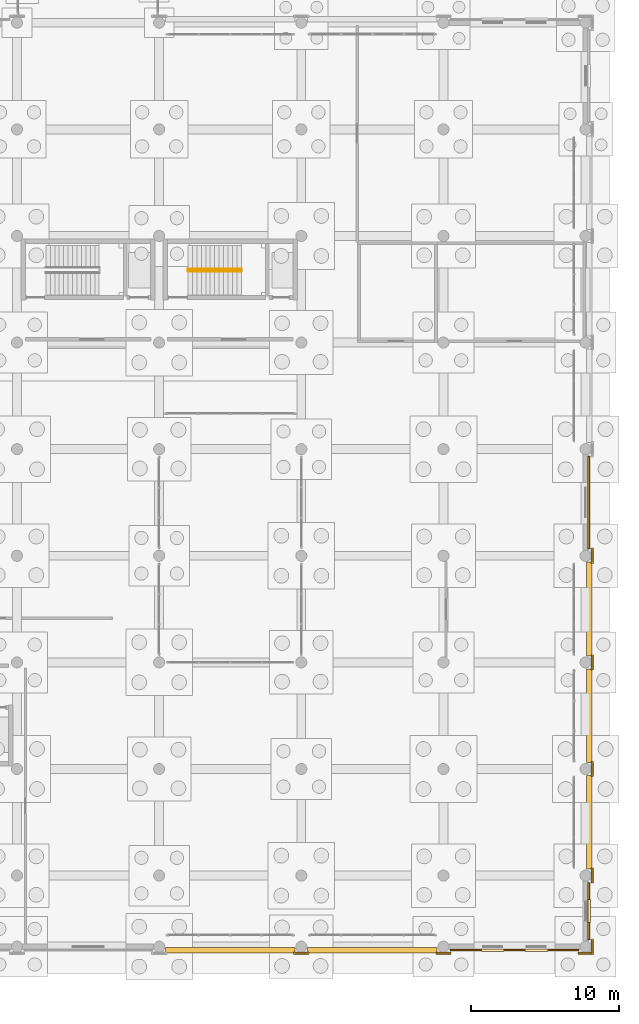
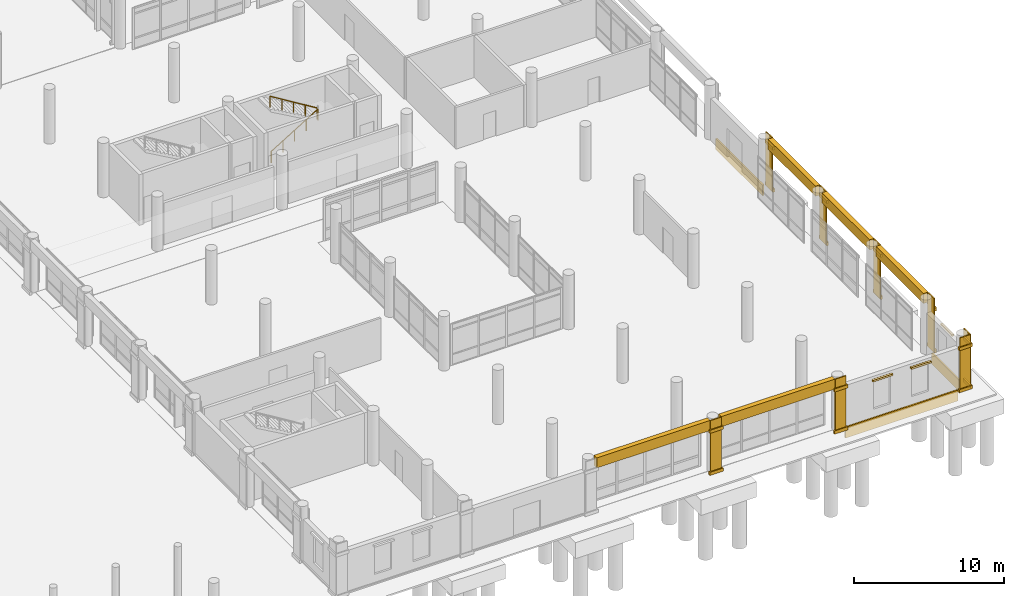
# One storey, part 191 of 196: 35 coverings, 2 railings.
"""IFC4 building model written with IfcOpenShell, lengths in metres."""

from ifc_helpers import new_model, si_unit, direction, frame, origin, origin_2d, place, context, subcontext, project, spatial, rectangle, circle, extrude, material, layer, layer_set, type_object, element, save


model = new_model("IFC4")

# Units and contexts
model_context = context("Model", 3, precision=1e-05, world=origin(), true_north=direction((0.0, 1.0)))
body_context = subcontext(model_context, "Body", "Model", "MODEL_VIEW")
ifc_project = project(units=[si_unit("LENGTHUNIT", "METRE"), si_unit("AREAUNIT", "SQUARE_METRE"), si_unit("VOLUMEUNIT", "CUBIC_METRE"), si_unit("PLANEANGLEUNIT", "RADIAN"), si_unit("MASSUNIT", "GRAM", prefix="KILO")], contexts=[model_context])

# Site, building, storey
site_placement = place(None, origin())
site = spatial("IfcSite", under=ifc_project, at=site_placement, CompositionType="ELEMENT")
building_placement = place(site_placement, origin())
building = spatial("IfcBuilding", under=site, at=building_placement, Name="Asteropetra Specialist Clinic", CompositionType="ELEMENT")
storey_placement = place(building_placement, origin())
storey = spatial("IfcBuildingStorey", under=building, at=storey_placement, Name="L00", CompositionType="ELEMENT", Elevation=0.0)

# Coverings
ifc_material_1 = material(Name="Pentelic marble ashlar", Category="masonry")
ifc_layer = layer(ifc_material_1, 0.159912109375)
ifc_layer_set = layer_set([ifc_layer], Name="Pentelic marble ashlar")
covering_type = type_object("IfcCoveringType", Name="CRN-ENTAB-600", PredefinedType="MOLDING", material=ifc_layer_set)
for number, where, z_axis, x_axis, name in (
    (1, (129.60009765625, -0.239990234375, 3.58984375), (0.0, 0.0, 1.0), (1.0, 0.0, 0.0), "Stoa Classical Entablature SE-0072"),
    (2, (139.199951171875, -0.239990234375, 3.58984375), (0.0, 0.0, 1.0), (1.0, 0.0, 0.0), "Stoa Classical Entablature SE-0074"),
):
    element("IfcCovering", number, at=place(storey_placement, frame(where, z_axis=z_axis, x_axis=x_axis)), inside=storey, type_object=covering_type, Name=name, PredefinedType="MOLDING", context=body_context, shape_type="SweptSolid", body=[
        extrude(rectangle(XDim=8.72998046875, YDim=0.360107421875, at=origin_2d()), origin(), (0.0, 0.0, 1.0), 0.820068359375),
    ])
for number, where, z_axis, x_axis, name in (
    (3, (153.840087890625, 8.39990234375, 3.58984375), (0.0, 0.0, 1.0), (1.0, 0.0, 0.0), "Stoa Classical Entablature SE-0077"),
    (4, (153.840087890625, 15.60009765625, 3.58984375), (0.0, 0.0, 1.0), (1.0, 0.0, 0.0), "Stoa Classical Entablature SE-0078"),
    (5, (153.840087890625, 22.800048828125, 3.58984375), (0.0, 0.0, 1.0), (1.0, 0.0, 0.0), "Stoa Classical Entablature SE-0080"),
):
    element("IfcCovering", number, at=place(storey_placement, frame(where, z_axis=z_axis, x_axis=x_axis)), inside=storey, type_object=covering_type, Name=name, PredefinedType="MOLDING", context=body_context, shape_type="SweptSolid", body=[
        extrude(rectangle(XDim=0.360107421875, YDim=6.330078125, at=origin_2d()), origin(), (0.0, 0.0, 1.0), 0.820068359375),
    ])
covering_1_placement = place(storey_placement, frame((134.39990234375, -0.406982421875, 0.02001953125), z_axis=(0.0, 0.0, 1.0), x_axis=(1.0, 0.0, 0.0)))
element("IfcCovering", 6, at=covering_1_placement, inside=storey, type_object=covering_type, Name="Neoclassical Pilaster Facing CM-0965", PredefinedType="MOLDING", context=body_context, shape_type="SweptSolid", body=[
    extrude(rectangle(XDim=0.830078125, YDim=0.080078125, at=origin_2d()), origin(), (0.0, 0.0, 1.0), 4.3798828125),
])
for number, where, z_axis, x_axis, name in (
    (7, (134.39990234375, -0.447021484375, 0.009765625), (0.0, 0.0, 1.0), (1.0, 0.0, 0.0), "Doric Base CC-0966"),
    (8, (134.39990234375, -0.447021484375, 3.43017578125), (0.0, 0.0, 1.0), (1.0, 0.0, 0.0), "Doric Capital CC-0967"),
):
    element("IfcCovering", number, at=place(storey_placement, frame(where, z_axis=z_axis, x_axis=x_axis)), inside=storey, type_object=covering_type, Name=name, PredefinedType="MOLDING", context=body_context, shape_type="SweptSolid", body=[
        extrude(rectangle(XDim=1.030029296875, YDim=0.159912109375, at=origin_2d()), origin(), (0.0, 0.0, 1.0), 0.260009765625),
    ])
covering_2_placement = place(storey_placement, frame((144.0, -0.406982421875, 0.02001953125), z_axis=(0.0, 0.0, 1.0), x_axis=(1.0, 0.0, 0.0)))
element("IfcCovering", 9, at=covering_2_placement, inside=storey, type_object=covering_type, Name="Neoclassical Pilaster Facing CM-0971", PredefinedType="MOLDING", context=body_context, shape_type="SweptSolid", body=[
    extrude(rectangle(XDim=0.830078125, YDim=0.080078125, at=origin_2d()), origin(), (0.0, 0.0, 1.0), 4.3798828125),
])
for number, where, z_axis, x_axis, name in (
    (10, (144.0, -0.447021484375, 0.009765625), (0.0, 0.0, 1.0), (1.0, 0.0, 0.0), "Doric Base CC-0972"),
    (11, (144.0, -0.447021484375, 3.43017578125), (0.0, 0.0, 1.0), (1.0, 0.0, 0.0), "Doric Capital CC-0973"),
):
    element("IfcCovering", number, at=place(storey_placement, frame(where, z_axis=z_axis, x_axis=x_axis)), inside=storey, type_object=covering_type, Name=name, PredefinedType="MOLDING", context=body_context, shape_type="SweptSolid", body=[
        extrude(rectangle(XDim=1.030029296875, YDim=0.159912109375, at=origin_2d()), origin(), (0.0, 0.0, 1.0), 0.260009765625),
    ])
covering_3_placement = place(storey_placement, frame((153.60009765625, -0.406982421875, 0.02001953125), z_axis=(0.0, 0.0, 1.0), x_axis=(1.0, 0.0, 0.0)))
element("IfcCovering", 12, at=covering_3_placement, inside=storey, type_object=covering_type, Name="Neoclassical Pilaster Facing CM-0977", PredefinedType="MOLDING", context=body_context, shape_type="SweptSolid", body=[
    extrude(rectangle(XDim=0.830078125, YDim=0.080078125, at=origin_2d()), origin(), (0.0, 0.0, 1.0), 4.3798828125),
])
for number, where, z_axis, x_axis, name in (
    (13, (153.60009765625, -0.447021484375, 0.009765625), (0.0, 0.0, 1.0), (1.0, 0.0, 0.0), "Doric Base CC-0978"),
    (14, (153.60009765625, -0.447021484375, 3.43017578125), (0.0, 0.0, 1.0), (1.0, 0.0, 0.0), "Doric Capital CC-0979"),
):
    element("IfcCovering", number, at=place(storey_placement, frame(where, z_axis=z_axis, x_axis=x_axis)), inside=storey, type_object=covering_type, Name=name, PredefinedType="MOLDING", context=body_context, shape_type="SweptSolid", body=[
        extrude(rectangle(XDim=1.030029296875, YDim=0.159912109375, at=origin_2d()), origin(), (0.0, 0.0, 1.0), 0.260009765625),
    ])
covering_4_placement = place(storey_placement, frame((154.007080078125, 0.0, 0.02001953125), z_axis=(0.0, 0.0, 1.0), x_axis=(1.0, 0.0, 0.0)))
element("IfcCovering", 15, at=covering_4_placement, inside=storey, type_object=covering_type, Name="Neoclassical Pilaster Facing CM-0980", PredefinedType="MOLDING", context=body_context, shape_type="SweptSolid", body=[
    extrude(rectangle(XDim=0.080078125, YDim=0.830078125, at=origin_2d()), origin(), (0.0, 0.0, 1.0), 4.3798828125),
])
for number, where, z_axis, x_axis, name in (
    (16, (154.047119140625, 0.0, 0.009765625), (0.0, 0.0, 1.0), (1.0, 0.0, 0.0), "Doric Base CC-0981"),
    (17, (154.047119140625, 0.0, 3.43017578125), (0.0, 0.0, 1.0), (1.0, 0.0, 0.0), "Doric Capital CC-0982"),
):
    element("IfcCovering", number, at=place(storey_placement, frame(where, z_axis=z_axis, x_axis=x_axis)), inside=storey, type_object=covering_type, Name=name, PredefinedType="MOLDING", context=body_context, shape_type="SweptSolid", body=[
        extrude(rectangle(XDim=0.159912109375, YDim=1.030029296875, at=origin_2d()), origin(), (0.0, 0.0, 1.0), 0.260009765625),
    ])
covering_5_placement = place(storey_placement, frame((154.007080078125, 4.800048828125, 0.02001953125), z_axis=(0.0, 0.0, 1.0), x_axis=(1.0, 0.0, 0.0)))
element("IfcCovering", 18, at=covering_5_placement, inside=storey, type_object=covering_type, Name="Neoclassical Pilaster Facing CM-0983", PredefinedType="MOLDING", context=body_context, shape_type="SweptSolid", body=[
    extrude(rectangle(XDim=0.080078125, YDim=0.830078125, at=origin_2d()), origin(), (0.0, 0.0, 1.0), 4.3798828125),
])
for number, where, z_axis, x_axis, name in (
    (19, (154.047119140625, 4.800048828125, 0.009765625), (0.0, 0.0, 1.0), (1.0, 0.0, 0.0), "Doric Base CC-0984"),
    (20, (154.047119140625, 4.800048828125, 3.43017578125), (0.0, 0.0, 1.0), (1.0, 0.0, 0.0), "Doric Capital CC-0985"),
):
    element("IfcCovering", number, at=place(storey_placement, frame(where, z_axis=z_axis, x_axis=x_axis)), inside=storey, type_object=covering_type, Name=name, PredefinedType="MOLDING", context=body_context, shape_type="SweptSolid", body=[
        extrude(rectangle(XDim=0.159912109375, YDim=1.030029296875, at=origin_2d()), origin(), (0.0, 0.0, 1.0), 0.260009765625),
    ])
covering_6_placement = place(storey_placement, frame((154.007080078125, 12.0, 0.02001953125), z_axis=(0.0, 0.0, 1.0), x_axis=(1.0, 0.0, 0.0)))
element("IfcCovering", 21, at=covering_6_placement, inside=storey, type_object=covering_type, Name="Neoclassical Pilaster Facing CM-0986", PredefinedType="MOLDING", context=body_context, shape_type="SweptSolid", body=[
    extrude(rectangle(XDim=0.080078125, YDim=0.830078125, at=origin_2d()), origin(), (0.0, 0.0, 1.0), 4.3798828125),
])
for number, where, z_axis, x_axis, name in (
    (22, (154.047119140625, 12.0, 0.009765625), (0.0, 0.0, 1.0), (1.0, 0.0, 0.0), "Doric Base CC-0987"),
    (23, (154.047119140625, 12.0, 3.43017578125), (0.0, 0.0, 1.0), (1.0, 0.0, 0.0), "Doric Capital CC-0988"),
):
    element("IfcCovering", number, at=place(storey_placement, frame(where, z_axis=z_axis, x_axis=x_axis)), inside=storey, type_object=covering_type, Name=name, PredefinedType="MOLDING", context=body_context, shape_type="SweptSolid", body=[
        extrude(rectangle(XDim=0.159912109375, YDim=1.030029296875, at=origin_2d()), origin(), (0.0, 0.0, 1.0), 0.260009765625),
    ])
covering_7_placement = place(storey_placement, frame((154.007080078125, 19.199951171875, 0.02001953125), z_axis=(0.0, 0.0, 1.0), x_axis=(1.0, 0.0, 0.0)))
element("IfcCovering", 24, at=covering_7_placement, inside=storey, type_object=covering_type, Name="Neoclassical Pilaster Facing CM-0989", PredefinedType="MOLDING", context=body_context, shape_type="SweptSolid", body=[
    extrude(rectangle(XDim=0.080078125, YDim=0.830078125, at=origin_2d()), origin(), (0.0, 0.0, 1.0), 4.3798828125),
])
for number, where, z_axis, x_axis, name in (
    (25, (154.047119140625, 19.199951171875, 0.009765625), (0.0, 0.0, 1.0), (1.0, 0.0, 0.0), "Doric Base CC-0990"),
    (26, (154.047119140625, 19.199951171875, 3.43017578125), (0.0, 0.0, 1.0), (1.0, 0.0, 0.0), "Doric Capital CC-0991"),
):
    element("IfcCovering", number, at=place(storey_placement, frame(where, z_axis=z_axis, x_axis=x_axis)), inside=storey, type_object=covering_type, Name=name, PredefinedType="MOLDING", context=body_context, shape_type="SweptSolid", body=[
        extrude(rectangle(XDim=0.159912109375, YDim=1.030029296875, at=origin_2d()), origin(), (0.0, 0.0, 1.0), 0.260009765625),
    ])
covering_8_placement = place(storey_placement, frame((154.007080078125, 26.39990234375, 0.02001953125), z_axis=(0.0, 0.0, 1.0), x_axis=(1.0, 0.0, 0.0)))
element("IfcCovering", 27, at=covering_8_placement, inside=storey, type_object=covering_type, Name="Neoclassical Pilaster Facing CM-0992", PredefinedType="MOLDING", context=body_context, shape_type="SweptSolid", body=[
    extrude(rectangle(XDim=0.080078125, YDim=0.830078125, at=origin_2d()), origin(), (0.0, 0.0, 1.0), 4.3798828125),
])
for number, where, z_axis, x_axis, name in (
    (28, (154.047119140625, 26.39990234375, 0.009765625), (0.0, 0.0, 1.0), (1.0, 0.0, 0.0), "Doric Base CC-0993"),
    (29, (154.047119140625, 26.39990234375, 3.43017578125), (0.0, 0.0, 1.0), (1.0, 0.0, 0.0), "Doric Capital CC-0994"),
):
    element("IfcCovering", number, at=place(storey_placement, frame(where, z_axis=z_axis, x_axis=x_axis)), inside=storey, type_object=covering_type, Name=name, PredefinedType="MOLDING", context=body_context, shape_type="SweptSolid", body=[
        extrude(rectangle(XDim=0.159912109375, YDim=1.030029296875, at=origin_2d()), origin(), (0.0, 0.0, 1.0), 0.260009765625),
    ])
for number, where, z_axis, x_axis, name in (
    (30, (147.324951171875, -0.25, 3.05029296875), (0.0, 0.0, 1.0), (1.0, 0.0, 0.0), "Classical Window Hood WH-1995"),
    (31, (150.27490234375, -0.25, 3.05029296875), (0.0, 0.0, 1.0), (1.0, 0.0, 0.0), "Classical Window Hood WH-1996"),
):
    element("IfcCovering", number, at=place(storey_placement, frame(where, z_axis=z_axis, x_axis=x_axis)), inside=storey, type_object=covering_type, Name=name, PredefinedType="MOLDING", context=body_context, shape_type="SweptSolid", body=[
        extrude(rectangle(XDim=1.5400390625, YDim=0.159912109375, at=origin_2d()), origin(), (0.0, 0.0, 1.0), 0.139892578125),
    ])
covering_9_placement = place(storey_placement, frame((148.800048828125, -0.219970703125, -0.800048828125), z_axis=(0.0, 0.0, 1.0), x_axis=(1.0, 0.0, 0.0)))
element("IfcCovering", 32, at=covering_9_placement, inside=storey, type_object=covering_type, Name="Chevron Spandrel Band CV-1997", PredefinedType="MOLDING", context=body_context, shape_type="SweptSolid", body=[
    extrude(rectangle(XDim=8.64990234375, YDim=0.1201171875, at=origin_2d()), origin(), (0.0, 0.0, 1.0), 0.8798828125),
])
covering_10_placement = place(storey_placement, frame((153.85009765625, 2.39990234375, 3.05029296875), z_axis=(0.0, 0.0, 1.0), x_axis=(1.0, 0.0, 0.0)))
element("IfcCovering", 33, at=covering_10_placement, inside=storey, type_object=covering_type, Name="Classical Window Hood WH-2003", PredefinedType="MOLDING", context=body_context, shape_type="SweptSolid", body=[
    extrude(rectangle(XDim=0.159912109375, YDim=1.5400390625, at=origin_2d()), origin(), (0.0, 0.0, 1.0), 0.139892578125),
])
covering_11_placement = place(storey_placement, frame((153.820068359375, 2.39990234375, -0.800048828125), z_axis=(0.0, 0.0, 1.0), x_axis=(1.0, 0.0, 0.0)))
element("IfcCovering", 34, at=covering_11_placement, inside=storey, type_object=covering_type, Name="Chevron Spandrel Band CV-2004", PredefinedType="MOLDING", context=body_context, shape_type="SweptSolid", body=[
    extrude(rectangle(XDim=0.1201171875, YDim=3.85009765625, at=origin_2d()), origin(), (0.0, 0.0, 1.0), 0.8798828125),
])
covering_12_placement = place(storey_placement, frame((153.820068359375, 30.0, -0.800048828125), z_axis=(0.0, 0.0, 1.0), x_axis=(1.0, 0.0, 0.0)))
element("IfcCovering", 35, at=covering_12_placement, inside=storey, type_object=covering_type, Name="Chevron Spandrel Band CV-2006", PredefinedType="MOLDING", context=body_context, shape_type="SweptSolid", body=[
    extrude(rectangle(XDim=0.1201171875, YDim=6.25, at=origin_2d()), origin(), (0.0, 0.0, 1.0), 0.8798828125),
])

# Railings
ifc_material_2 = material(Name="Brushed stainless steel handrail", Category="steel")
railing_type = type_object("IfcRailingType", Name="HRL-STAIR-920", PredefinedType="HANDRAIL", material=ifc_material_2)
railing_1_placement = place(storey_placement, frame((126.75, 45.6201171875, 0.0)))
element("IfcRailing", 36, at=railing_1_placement, inside=storey, type_object=railing_type, Name="Stair Handrail ST09-L00 F1", PredefinedType="HANDRAIL", context=body_context, shape_type="SweptSolid", body=[
    extrude(circle(Radius=0.02392578125, at=origin_2d()), frame((0.0, 0.0, 0.89599609375), z_axis=(0.85223722916, 0.0, 0.523155526811), x_axis=(0.0, 1.0, 0.0)), (0.0, 0.0, 1.0), 4.224365234375),
    extrude(circle(Radius=0.02099609375, at=origin_2d()), origin(), (0.0, 0.0, 1.0), 0.871826171875),
    extrude(circle(Radius=0.02099609375, at=origin_2d()), frame((0.89990234375, 0.0, 0.552490234375)), (0.0, 0.0, 1.0), 0.871826171875),
    extrude(circle(Radius=0.02099609375, at=origin_2d()), frame((1.800048828125, 0.0, 1.10498046875)), (0.0, 0.0, 1.0), 0.871826171875),
    extrude(circle(Radius=0.02099609375, at=origin_2d()), frame((2.7001953125, 0.0, 1.657470703125)), (0.0, 0.0, 1.0), 0.871826171875),
    extrude(circle(Radius=0.02099609375, at=origin_2d()), frame((3.60009765625, 0.0, 2.2099609375)), (0.0, 0.0, 1.0), 0.871826171875),
])
railing_2_placement = place(storey_placement, frame((130.35009765625, 45.760009765625, 2.2099609375)))
element("IfcRailing", 37, at=railing_2_placement, inside=storey, type_object=railing_type, Name="Stair Handrail ST09-L00 F2", PredefinedType="HANDRAIL", context=body_context, shape_type="SweptSolid", body=[
    extrude(circle(Radius=0.02392578125, at=origin_2d()), frame((0.0, 0.0, 0.89599609375), z_axis=(-0.85223722916, 0.0, 0.523155526811), x_axis=(0.0, -1.0, 0.0)), (0.0, 0.0, 1.0), 4.224365234375),
    extrude(circle(Radius=0.02099609375, at=origin_2d()), origin(), (0.0, 0.0, 1.0), 0.871826171875),
    extrude(circle(Radius=0.02099609375, at=origin_2d()), frame((-0.89990234375, 0.0, 0.552490234375)), (0.0, 0.0, 1.0), 0.871826171875),
    extrude(circle(Radius=0.02099609375, at=origin_2d()), frame((-1.800048828125, 0.0, 1.10498046875)), (0.0, 0.0, 1.0), 0.871826171875),
    extrude(circle(Radius=0.02099609375, at=origin_2d()), frame((-2.7001953125, 0.0, 1.657470703125)), (0.0, 0.0, 1.0), 0.871826171875),
    extrude(circle(Radius=0.02099609375, at=origin_2d()), frame((-3.60009765625, 0.0, 2.2099609375)), (0.0, 0.0, 1.0), 0.871826171875),
])

save(model, "model.ifc")
